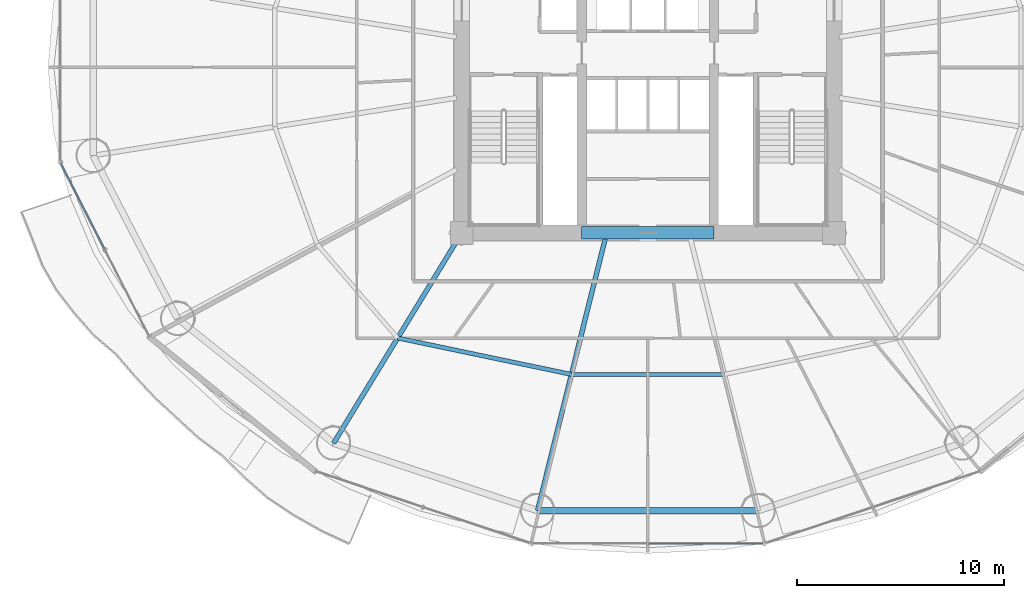
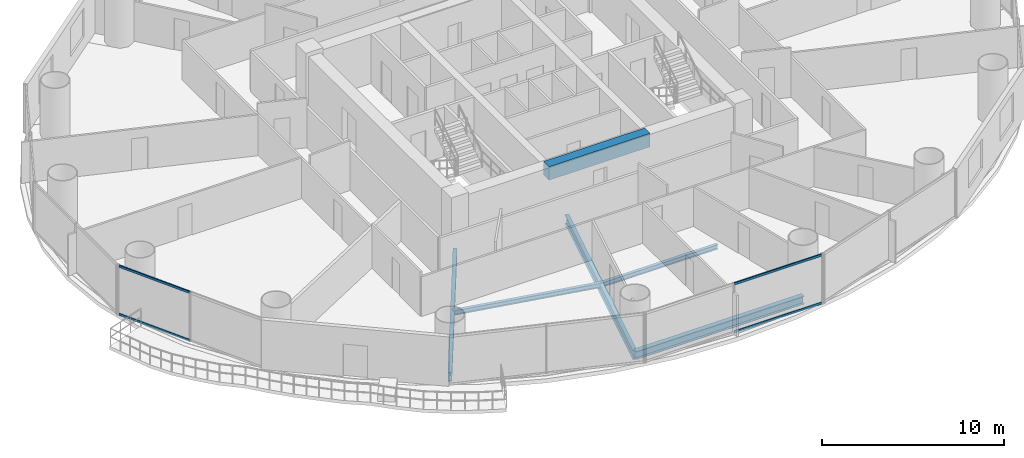
# One storey, part 6 of 30: 6 beams, 4 members, 2 elements without a shape of their own.
"""IFC4 building model written with IfcOpenShell, lengths in metres."""

from ifc_helpers import new_model, si_unit, direction, frame, origin, origin_2d, place, context, subcontext, project, spatial, rectangle, hollow_rectangle, i_section, extrude, source, transform, mapped, material, material_profile, profile_set, type_object, element, aggregate, save


model = new_model("IFC4")

# Units and contexts
model_context = context("Model", 3, precision=1e-05, world=origin(), true_north=direction((-0.2419218956, 0.970295726276)))
body_context = subcontext(model_context, "Body", "Model", "MODEL_VIEW")
ifc_project = project(units=[si_unit("LENGTHUNIT", "METRE"), si_unit("AREAUNIT", "SQUARE_METRE"), si_unit("VOLUMEUNIT", "CUBIC_METRE"), si_unit("PLANEANGLEUNIT", "RADIAN"), si_unit("MASSUNIT", "GRAM", prefix="KILO")], contexts=[model_context])

# Site, building, storey
site_placement = place(None, origin())
site = spatial("IfcSite", under=ifc_project, at=site_placement, CompositionType="ELEMENT")
building_placement = place(site_placement, origin())
building = spatial("IfcBuilding", under=site, at=building_placement, Name="Cobrevalo Terracotta Tower", CompositionType="ELEMENT")
storey_placement = place(building_placement, frame((0.0, 0.0, 63.60009765625)))
storey = spatial("IfcBuildingStorey", under=building, at=storey_placement, Name="L16", CompositionType="ELEMENT", Elevation=63.60009765625)

# Beams
ifc_material_1 = material(Name="Concrete C60", Category="concrete")
ifc_material_profile_1 = material_profile(ifc_material_1, rectangle(XDim=0.60009765625, YDim=0.89990234375, at=origin_2d()), Name="RC CB 600x900")
ifc_profile_set_1 = profile_set([ifc_material_profile_1], Name="Concrete C60")
beam_type_1 = type_object("IfcBeamType", Name="Structural Beam RC CB 600x900 (Concrete C60)", PredefinedType="BEAM", material=ifc_profile_set_1)
beam_1_placement = place(storey_placement, frame((34.800048828125, 18.800048828125, 2.869873046875), z_axis=(1.0, 0.0, 0.0), x_axis=(0.0, 1.0, 0.0)))
element("IfcBeam", 1, at=beam_1_placement, inside=storey, type_object=beam_type_1, Name="L16 core coupling beam 1", PredefinedType="BEAM", context=body_context, shape_type="SweptSolid", body=[
    extrude(rectangle(XDim=0.60009765625, YDim=0.89990234375, at=origin_2d()), origin(), (0.0, 0.0, 1.0), 6.39990234375),
])
ifc_material_2 = material(Name="Steel S355", Category="steel")
ifc_material_profile_2 = material_profile(ifc_material_2, i_section(OverallWidth=0.22998046875, OverallDepth=0.616943359375, WebThickness=0.01318359375, FlangeThickness=0.022216796875, at=origin_2d()), Name="W 610x140")
ifc_profile_set_2 = profile_set([ifc_material_profile_2], Name="Steel S355")
beam_type_2 = type_object("IfcBeamType", Name="Structural Beam W 610x140 (Steel S355)", PredefinedType="BEAM", material=ifc_profile_set_2)
beam_2_placement = place(storey_placement, frame((22.80517578125, 8.63232421875, -0.588623046875), z_axis=(0.520300780853, 0.853983077961, 0.0), x_axis=(-0.853983077961, 0.520300780853, 0.0)))
element("IfcBeam", 2, at=beam_2_placement, inside=storey, type_object=beam_type_2, Name="L16 radial floor girder 11", PredefinedType="BEAM", context=body_context, shape_type="SweptSolid", body=[
    extrude(i_section(OverallWidth=0.22998046875, OverallDepth=0.616943359375, WebThickness=0.01318359375, FlangeThickness=0.022216796875, at=origin_2d()), origin(), (0.0, 0.0, 1.0), 11.90625),
])
beam_3_placement = place(storey_placement, frame((32.664306640625, 5.369873046875, -0.588623046875), z_axis=(0.241600470374, 0.970375810042, 0.0), x_axis=(-0.970375810042, 0.241600470374, 0.0)))
element("IfcBeam", 3, at=beam_3_placement, inside=storey, type_object=beam_type_2, Name="L16 radial floor girder 12", PredefinedType="BEAM", context=body_context, shape_type="SweptSolid", body=[
    extrude(i_section(OverallWidth=0.22998046875, OverallDepth=0.616943359375, WebThickness=0.01318359375, FlangeThickness=0.022216796875, at=origin_2d()), origin(), (0.0, 0.0, 1.0), 13.5771484375),
])
ifc_material_profile_3 = material_profile(ifc_material_2, i_section(OverallWidth=0.2041015625, OverallDepth=0.305908203125, WebThickness=0.008544921875, FlangeThickness=0.0146484375, at=origin_2d()), Name="W 310x67")
ifc_profile_set_3 = profile_set([ifc_material_profile_3], Name="Steel S355")
beam_type_3 = type_object("IfcBeamType", Name="Structural Joist W 310x67 (Steel S355)", PredefinedType="JOIST", material=ifc_profile_set_3)
beam_4_placement = place(storey_placement, frame((25.902587890625, 13.71630859375, -0.43310546875), z_axis=(0.978784523904, -0.204892302848, 0.0), x_axis=(0.204892302848, 0.978784523904, 0.0)))
element("IfcBeam", 4, at=beam_4_placement, inside=storey, type_object=beam_type_3, Name="L16 circumferential secondary floor joist 11", PredefinedType="JOIST", context=body_context, shape_type="SweptSolid", body=[
    extrude(i_section(OverallWidth=0.2041015625, OverallDepth=0.305908203125, WebThickness=0.008544921875, FlangeThickness=0.0146484375, at=origin_2d()), origin(), (0.0, 0.0, 1.0), 8.583984375),
])
beam_5_placement = place(storey_placement, frame((34.304443359375, 11.95751953125, -0.43310546875), z_axis=(1.0, 0.0, 0.0), x_axis=(0.0, 1.0, 0.0)))
element("IfcBeam", 5, at=beam_5_placement, inside=storey, type_object=beam_type_3, Name="L16 circumferential secondary floor joist 12", PredefinedType="JOIST", context=body_context, shape_type="SweptSolid", body=[
    extrude(i_section(OverallWidth=0.2041015625, OverallDepth=0.305908203125, WebThickness=0.008544921875, FlangeThickness=0.0146484375, at=origin_2d()), origin(), (0.0, 0.0, 1.0), 7.39111328125),
])
ifc_material_profile_4 = material_profile(ifc_material_2, i_section(OverallWidth=0.31201171875, OverallDepth=0.54296875, WebThickness=0.0126953125, FlangeThickness=0.020263671875, at=origin_2d()), Name="W 530x150")
ifc_profile_set_4 = profile_set([ifc_material_profile_4], Name="Steel S355")
beam_type_4 = type_object("IfcBeamType", Name="Structural Spandrel W 530x150 (Steel S355)", PredefinedType="SPANDREL", material=ifc_profile_set_4)
beam_6_placement = place(storey_placement, frame((32.664306640625, 5.369873046875, -0.551513671875), z_axis=(1.0, 0.0, 0.0), x_axis=(0.0, 1.0, 0.0)))
element("IfcBeam", 6, at=beam_6_placement, inside=storey, type_object=beam_type_4, Name="L16 perimeter ring spandrel 12", PredefinedType="SPANDREL", context=body_context, shape_type="SweptSolid", body=[
    extrude(i_section(OverallWidth=0.31201171875, OverallDepth=0.54296875, WebThickness=0.0126953125, FlangeThickness=0.020263671875, at=origin_2d()), origin(), (0.0, 0.0, 1.0), 10.67138671875),
])

# Curtain wall, members
ifc_material_3 = material(Name="Anodized aluminium", Category="aluminium")
curtain_wall_type = type_object("IfcCurtainWallType", Name="Lower-tower unitised acoustic low-E curtain wall CW-U1", PredefinedType="NOTDEFINED", material=ifc_material_3)
curtain_wall_1_placement = place(storey_placement, origin())
curtain_wall_1 = element("IfcCurtainWall", 7, at=curtain_wall_1_placement, inside=storey, type_object=curtain_wall_type, Name="L16 curtain wall CW-L16-S12", PredefinedType="NOTDEFINED")
ifc_material_profile_5 = material_profile(ifc_material_3, hollow_rectangle(XDim=0.074951171875, YDim=0.14990234375, WallThickness=0.00439453125, at=origin_2d()), Name="CWT 75x150")
ifc_profile_set_5 = profile_set([ifc_material_profile_5], Name="Anodized aluminium")
member_type = type_object("IfcMemberType", Name="Tower unitised aluminium transom 75x150", PredefinedType="USERDEFINED", material=ifc_profile_set_5)
shared_shape_1 = source(origin(), body_context, "Body", "SweptSolid", [
    extrude(hollow_rectangle(XDim=0.074951171875, YDim=0.14990234375, WallThickness=0.00439453125, at=origin_2d()), origin(), (0.0, 0.0, 1.0), 5.53173828125),
])
member_1_placement = place(storey_placement, frame((38.0400390625, 3.781005859375, 0.0498046875), z_axis=(1.0, 0.0, 0.0), x_axis=(0.0, 1.0, 0.0)))
member_1 = element("IfcMember", 8, at=member_1_placement, type_object=member_type, Name="CW-L16-S12 transom B02-T1", ObjectType="TRANSOM", PredefinedType="USERDEFINED", context=body_context, shape_type="MappedRepresentation", body=[
    mapped(shared_shape_1, transform((0.0, 0.0, 0.0), scale=1.0)),
])
member_2_placement = place(storey_placement, frame((38.0400390625, 3.781005859375, 3.27001953125), z_axis=(1.0, 0.0, 0.0), x_axis=(0.0, 1.0, 0.0)))
member_2 = element("IfcMember", 9, at=member_2_placement, type_object=member_type, Name="CW-L16-S12 transom B02-T2", ObjectType="TRANSOM", PredefinedType="USERDEFINED", context=body_context, shape_type="MappedRepresentation", body=[
    mapped(shared_shape_1, transform((0.0, 0.0, 0.0), scale=1.0)),
])
aggregate(curtain_wall_1, [member_1, member_2])

curtain_wall_2_placement = place(storey_placement, origin())
curtain_wall_2 = element("IfcCurtainWall", 10, at=curtain_wall_2_placement, inside=storey, type_object=curtain_wall_type, Name="L16 curtain wall CW-L16-S09", PredefinedType="NOTDEFINED")
shared_shape_2 = source(origin(), body_context, "Body", "SweptSolid", [
    extrude(hollow_rectangle(XDim=0.074951171875, YDim=0.14990234375, WallThickness=0.00439453125, at=origin_2d()), origin(), (0.0, 0.0, 1.0), 4.630859375),
])
member_3_placement = place(storey_placement, frame((9.623046875, 22.14990234375, 0.0498046875), z_axis=(0.455229952508, -0.890373904795, 0.0), x_axis=(0.890373904795, 0.455229952508, 0.0)))
member_3 = element("IfcMember", 11, at=member_3_placement, type_object=member_type, Name="CW-L16-S09 transom B01-T1", ObjectType="TRANSOM", PredefinedType="USERDEFINED", context=body_context, shape_type="MappedRepresentation", body=[
    mapped(shared_shape_2, transform((0.0, 0.0, 0.0), scale=1.0)),
])
member_4_placement = place(storey_placement, frame((9.623046875, 22.14990234375, 3.27001953125), z_axis=(0.455229952508, -0.890373904795, 0.0), x_axis=(0.890373904795, 0.455229952508, 0.0)))
member_4 = element("IfcMember", 12, at=member_4_placement, type_object=member_type, Name="CW-L16-S09 transom B01-T2", ObjectType="TRANSOM", PredefinedType="USERDEFINED", context=body_context, shape_type="MappedRepresentation", body=[
    mapped(shared_shape_2, transform((0.0, 0.0, 0.0), scale=1.0)),
])
aggregate(curtain_wall_2, [member_3, member_4])

save(model, "model.ifc")
